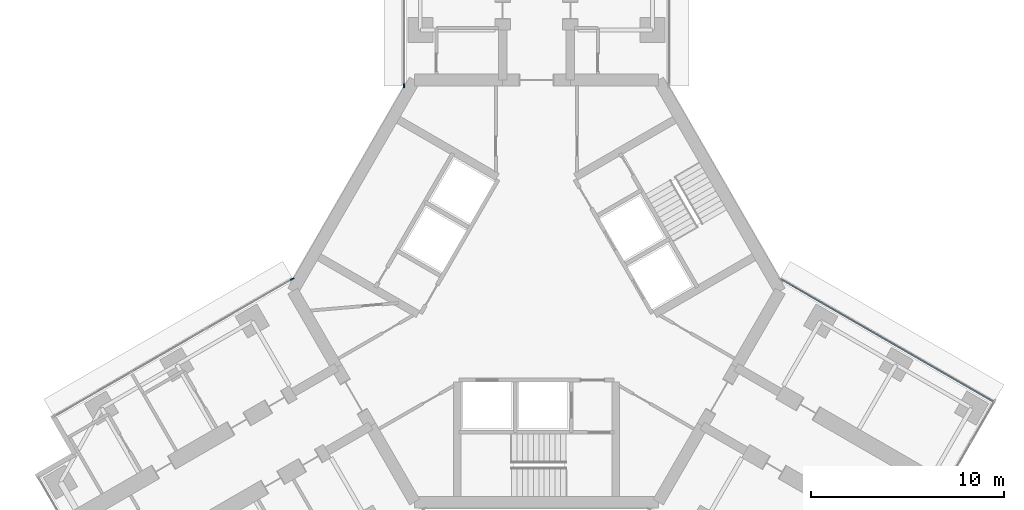
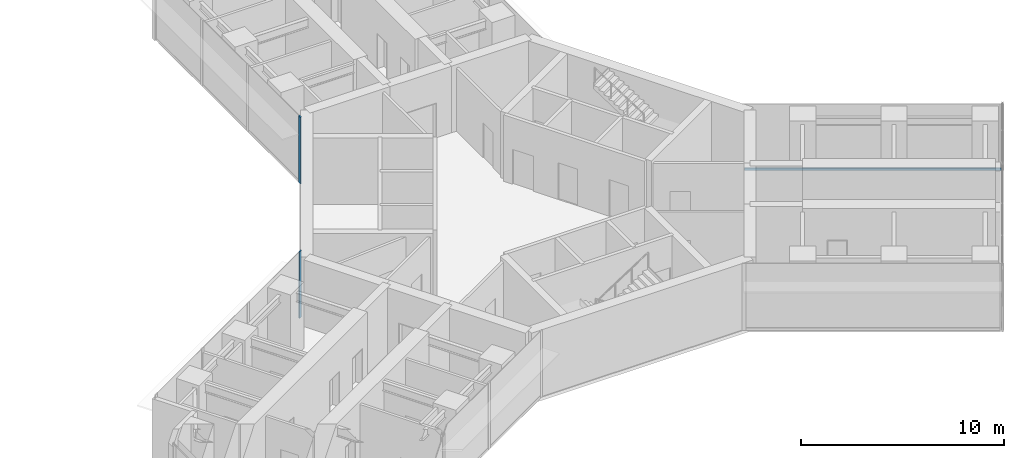
# One storey, part 9 of 22: 3 members, 3 elements without a shape of their own.
"""IFC4 building model written with IfcOpenShell, lengths in metres."""

from ifc_helpers import new_model, si_unit, direction, frame, origin, origin_2d, place, context, subcontext, project, spatial, rectangle, extrude, material, material_profile, profile_set, type_object, element, aggregate, save


model = new_model("IFC4")

# Units and contexts
model_context = context("Model", 3, precision=1e-05, world=origin(), true_north=direction((0.0, 1.0)))
body_context = subcontext(model_context, "Body", "Model", "MODEL_VIEW")
ifc_project = project(units=[si_unit("LENGTHUNIT", "METRE"), si_unit("AREAUNIT", "SQUARE_METRE"), si_unit("VOLUMEUNIT", "CUBIC_METRE"), si_unit("PLANEANGLEUNIT", "RADIAN"), si_unit("MASSUNIT", "GRAM", prefix="KILO")], contexts=[model_context])

# Site, building, storey
site_placement = place(None, origin())
site = spatial("IfcSite", under=ifc_project, at=site_placement, CompositionType="ELEMENT")
building_placement = place(site_placement, origin())
building = spatial("IfcBuilding", under=site, at=building_placement, Name="Upepo Twin Towers", CompositionType="ELEMENT")
storey_placement = place(building_placement, frame((0.0, 0.0, 141.5)))
storey = spatial("IfcBuildingStorey", under=building, at=storey_placement, Name="L34", CompositionType="ELEMENT", Elevation=141.5)

# Curtain wall, member
ifc_material_1 = material(Name="Aluminium and fritted glass", Category="aluminium")
curtain_wall_type = type_object("IfcCurtainWallType", Name="Tower curtain wall TW2, fritted glass", PredefinedType="NOTDEFINED", material=ifc_material_1)
curtain_wall_1_placement = place(storey_placement, origin())
curtain_wall_1 = element("IfcCurtainWall", 1, at=curtain_wall_1_placement, inside=storey, type_object=curtain_wall_type, Name="T2 L34 wing A flank L curtain wall", PredefinedType="NOTDEFINED")
ifc_material_2 = material(Name="Aluminium mullion", Category="aluminium")
ifc_material_profile_1 = material_profile(ifc_material_2, rectangle(XDim=0.06494140625, YDim=0.199951171875, at=origin_2d()), Name="MULLION 65x200")
ifc_profile_set_1 = profile_set([ifc_material_profile_1], Name="Aluminium mullion")
member_type_1 = type_object("IfcMemberType", Name="Mullion 65x200 TW2", PredefinedType="MULLION", material=ifc_profile_set_1)
member_1_placement = place(storey_placement, frame((51.64990234375, -7.38037109375, 0.0), z_axis=(0.0, 0.0, 1.0), x_axis=(-1.0, 0.0, 0.0)))
member_1 = element("IfcMember", 2, at=member_1_placement, type_object=member_type_1, Name="T2 L34 wing A flank L curtain wall mullion 1", PredefinedType="MULLION", context=body_context, shape_type="SweptSolid", body=[
    extrude(rectangle(XDim=0.06494140625, YDim=0.199951171875, at=origin_2d()), origin(), (0.0, 0.0, 1.0), 4.0),
])
aggregate(curtain_wall_1, [member_1])

curtain_wall_2_placement = place(storey_placement, origin())
curtain_wall_2 = element("IfcCurtainWall", 3, at=curtain_wall_2_placement, inside=storey, type_object=curtain_wall_type, Name="T2 L34 wing B flank R curtain wall", PredefinedType="NOTDEFINED")
member_2_placement = place(storey_placement, frame((45.878173828125, -17.37744140625, 0.0), z_axis=(0.0, 0.0, 1.0), x_axis=(-0.500000010308, 0.866025397833, 0.0)))
member_2 = element("IfcMember", 4, at=member_2_placement, type_object=member_type_1, Name="T2 L34 wing B flank R curtain wall mullion 4", PredefinedType="MULLION", context=body_context, shape_type="SweptSolid", body=[
    extrude(rectangle(XDim=0.06494140625, YDim=0.199951171875, at=origin_2d()), origin(), (0.0, 0.0, 1.0), 4.0),
])
aggregate(curtain_wall_2, [member_2])

curtain_wall_3_placement = place(storey_placement, origin())
curtain_wall_3 = element("IfcCurtainWall", 5, at=curtain_wall_3_placement, inside=storey, type_object=curtain_wall_type, Name="T2 L34 wing C flank L curtain wall", PredefinedType="NOTDEFINED")
ifc_material_3 = material(Name="Aluminium transom", Category="aluminium")
ifc_material_profile_2 = material_profile(ifc_material_3, rectangle(XDim=0.06494140625, YDim=0.14990234375, at=origin_2d()), Name="TRANSOM 65x150")
ifc_profile_set_2 = profile_set([ifc_material_profile_2], Name="Aluminium transom")
member_type_2 = type_object("IfcMemberType", Name="Transom 65x150 TW2", PredefinedType="USERDEFINED", material=ifc_profile_set_2)
member_3_placement = place(storey_placement, frame((71.14990234375, -17.393798828125, 0.074951171875), z_axis=(0.866027247007, -0.499996807431, 0.0), x_axis=(0.499996807431, 0.866027247007, 0.0)))
member_3 = element("IfcMember", 6, at=member_3_placement, type_object=member_type_2, Name="T2 L34 wing C flank L curtain wall transom 1", ObjectType="TRANSOM", PredefinedType="USERDEFINED", context=body_context, shape_type="SweptSolid", body=[
    extrude(rectangle(XDim=0.06494140625, YDim=0.14990234375, at=origin_2d()), origin(), (0.0, 0.0, 1.0), 12.6328125),
])
aggregate(curtain_wall_3, [member_3])

save(model, "model.ifc")
